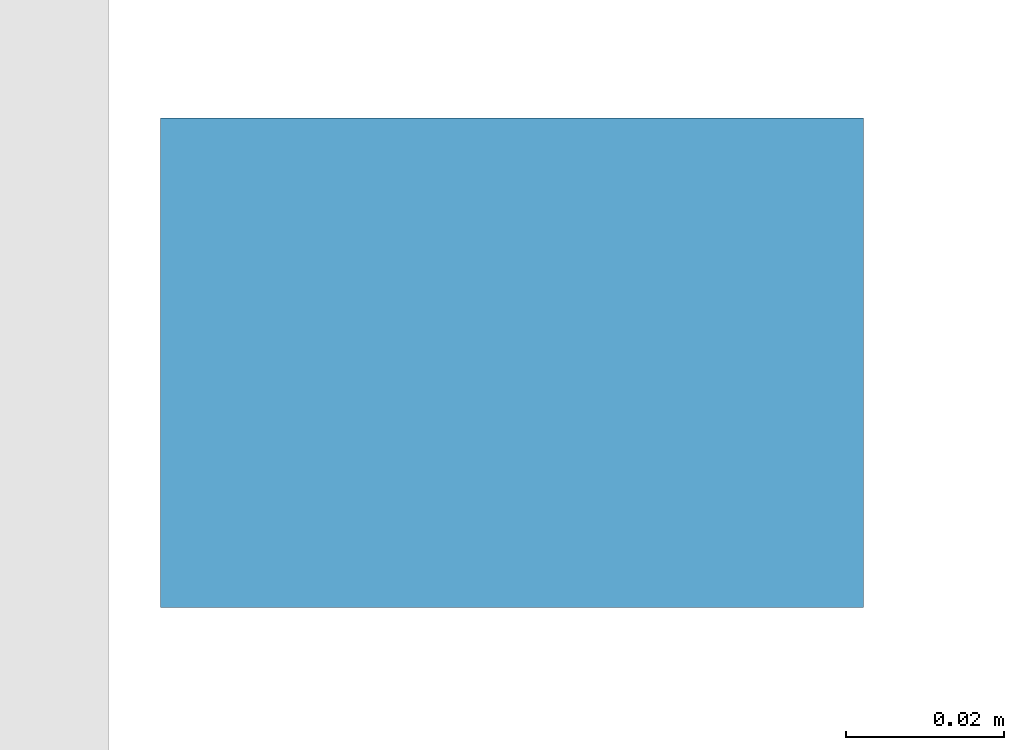
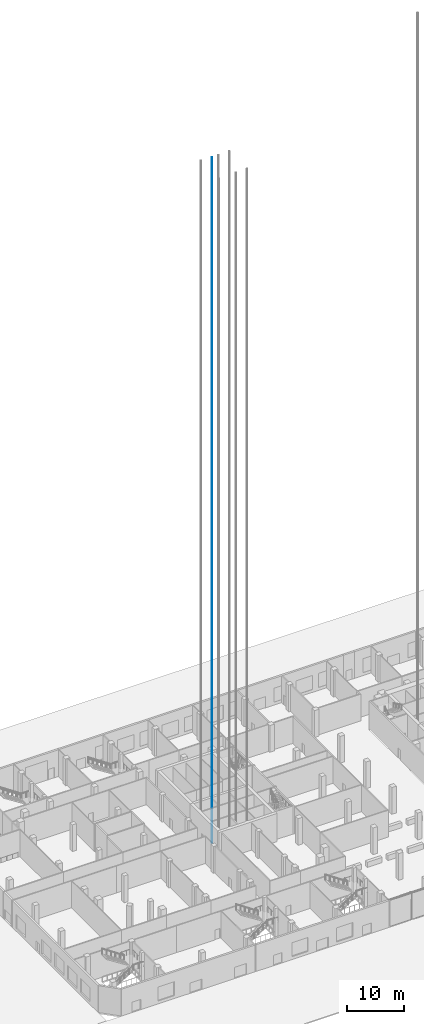
# One storey, part 7 of 55: 1 member.
"""IFC4 building model written with IfcOpenShell, lengths in metres."""

from ifc_helpers import new_model, si_unit, direction, frame, origin, origin_2d, place, context, subcontext, project, spatial, rectangle, extrude, material, material_profile, profile_set, type_object, element, save


model = new_model("IFC4")

# Units and contexts
model_context = context("Model", 3, precision=1e-05, world=origin(), true_north=direction((0.0, 1.0)))
body_context = subcontext(model_context, "Body", "Model", "MODEL_VIEW")
ifc_project = project(units=[si_unit("LENGTHUNIT", "METRE"), si_unit("AREAUNIT", "SQUARE_METRE"), si_unit("VOLUMEUNIT", "CUBIC_METRE"), si_unit("PLANEANGLEUNIT", "RADIAN"), si_unit("MASSUNIT", "GRAM", prefix="KILO")], contexts=[model_context])

# Site, building, storey
site_placement = place(None, origin())
site = spatial("IfcSite", under=ifc_project, at=site_placement, CompositionType="ELEMENT")
building_placement = place(site_placement, origin())
building = spatial("IfcBuilding", under=site, at=building_placement, Name="Cinnabar Reach Civic Tower", CompositionType="ELEMENT")
storey_placement = place(building_placement, origin())
storey = spatial("IfcBuildingStorey", under=building, at=storey_placement, Name="L00", CompositionType="ELEMENT", Elevation=0.0)

# Member
ifc_material = material(Name="Steel Q355B", Category="steel")
ifc_material_profile = material_profile(ifc_material, rectangle(XDim=0.089, YDim=0.062, at=origin_2d()), Name="T89")
ifc_profile_set = profile_set([ifc_material_profile], Name="Steel Q355B")
member_type = type_object("IfcMemberType", Name="Lift guide rail T89", PredefinedType="MEMBER", material=ifc_profile_set)
member_placement = place(storey_placement, frame((-39.149, 28.875, -2.5), z_axis=(0.0, 0.0, 1.0), x_axis=(1.0, 0.0, 0.0)))
element("IfcMember", 1, at=member_placement, inside=storey, type_object=member_type, Name="Lift guide rail 2", PredefinedType="MEMBER", context=body_context, shape_type="SweptSolid", body=[
    extrude(rectangle(XDim=0.089, YDim=0.062, at=origin_2d()), origin(), (0.0, 0.0, 1.0), 146.05),
])

save(model, "model.ifc")
